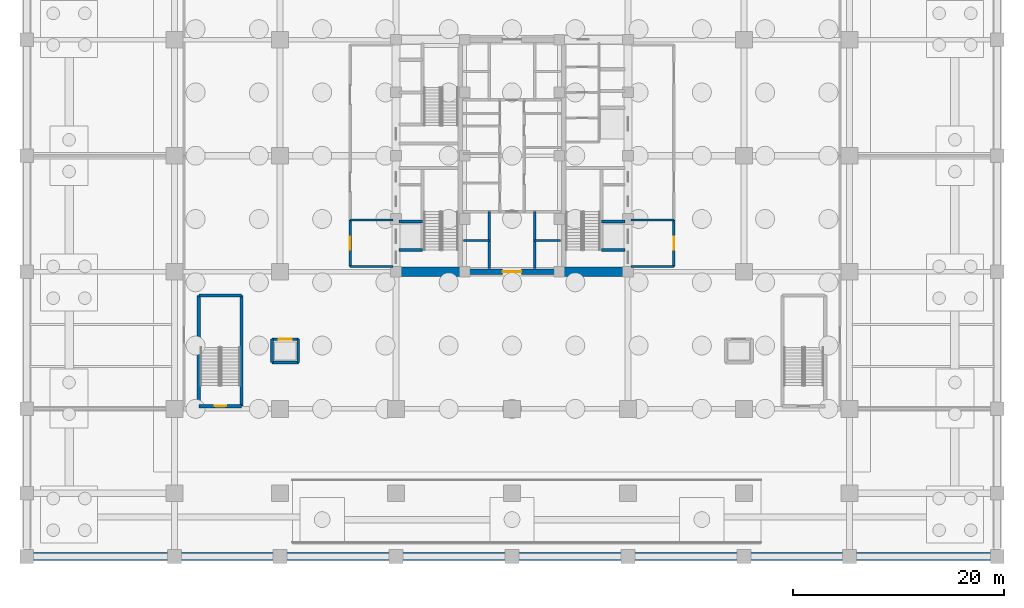
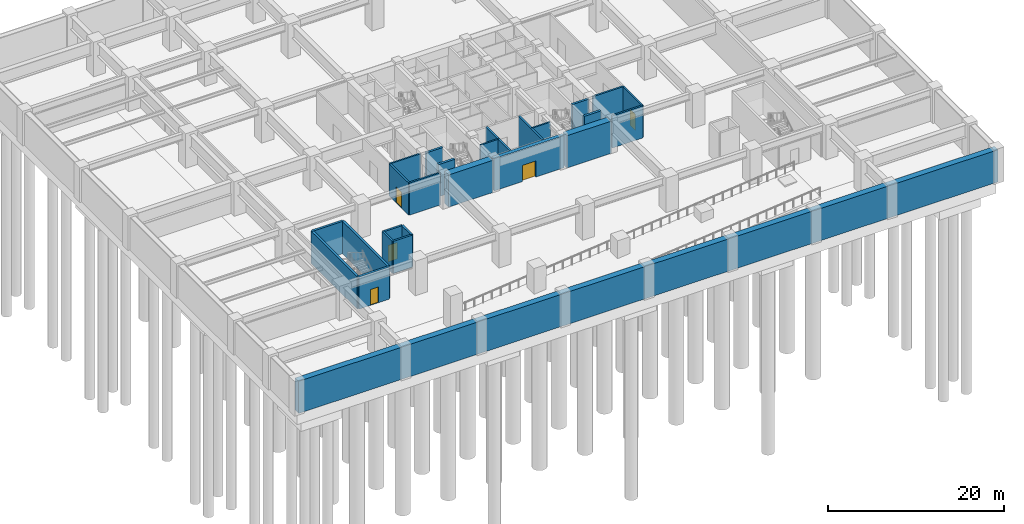
# One storey, part 4 of 13: 26 walls, 5 doors, 5 openings.
"""IFC4 building model written with IfcOpenShell, lengths in metres."""

from ifc_helpers import new_model, si_unit, direction, frame, frame_2d, origin, place, context, subcontext, project, spatial, rectangle, extrude, source, transform, mapped, material, layer, layer_set, type_object, element, fill, save


model = new_model("IFC4")

# Units and contexts
model_context = context("Model", 3, precision=1e-05, world=origin(), true_north=direction((0.0, 1.0)))
body_context = subcontext(model_context, "Body", "Model", "MODEL_VIEW")
ifc_project = project(units=[si_unit("LENGTHUNIT", "METRE"), si_unit("AREAUNIT", "SQUARE_METRE"), si_unit("VOLUMEUNIT", "CUBIC_METRE"), si_unit("PLANEANGLEUNIT", "RADIAN"), si_unit("MASSUNIT", "GRAM", prefix="KILO")], contexts=[model_context])

# Site, building, storey
site_placement = place(None, origin())
site = spatial("IfcSite", under=ifc_project, at=site_placement, CompositionType="ELEMENT")
building_placement = place(site_placement, origin())
building = spatial("IfcBuilding", under=site, at=building_placement, Name="Khorayat Bourse Tower", CompositionType="ELEMENT")
storey_placement = place(building_placement, frame((0.0, 0.0, -9.60009765625)))
storey = spatial("IfcBuildingStorey", under=building, at=storey_placement, Name="B02", CompositionType="ELEMENT", Elevation=-9.60009765625)

# Walls
ifc_material_1 = material(Name="Concrete C50/60", Category="concrete")
ifc_layer_1 = layer(ifc_material_1, 0.800048828125)
ifc_layer_set_1 = layer_set([ifc_layer_1], Name="Concrete C50/60")
wall_type_1 = type_object("IfcWallType", Name="WAL-RET-800", PredefinedType="USERDEFINED", material=ifc_layer_set_1)
shared_shape_1 = source(origin(), body_context, "Body", "SweptSolid", [
    extrude(rectangle(XDim=92.0, YDim=0.800048828125, at=frame_2d((46.0, 0.0))), origin(), (0.0, 0.0, 1.0), 4.47998046875),
])
wall_1_placement = place(storey_placement, frame((-46.0, -38.0, 0.0), z_axis=(0.0, 0.0, 1.0), x_axis=(1.0, 0.0, 0.0)))
element("IfcWall", 1, at=wall_1_placement, inside=storey, type_object=wall_type_1, Name="B02 Perimeter Retaining Wall S", ObjectType="RETAINING WALL", PredefinedType="USERDEFINED", context=body_context, shape_type="MappedRepresentation", body=[
    mapped(shared_shape_1, transform((0.0, 0.0, 0.0), scale=1.0)),
])
ifc_material_2 = material(Name="Concrete C72/90", Category="concrete")
ifc_layer_2 = layer(ifc_material_2, 0.89990234375)
ifc_layer_set_2 = layer_set([ifc_layer_2], Name="Concrete C72/90")
wall_type_2 = type_object("IfcWallType", Name="WAL-CORE-900", PredefinedType="SHEAR", material=ifc_layer_set_2)
shared_shape_2 = source(origin(), body_context, "Body", "SweptSolid", [
    extrude(rectangle(XDim=5.849853515625, YDim=0.89990234375, at=frame_2d((2.9248046875, 0.0))), origin(), (0.0, 0.0, 1.0), 4.47998046875),
])
for number, where, z_axis, x_axis, name in (
    (2, (-10.699951171875, -11.0, 0.0), (0.0, 0.0, 1.0), (1.0, 0.0, 0.0), "B02 Core Shear Wall PIER-WS"),
    (3, (4.85009765625, -11.0, 0.0), (0.0, 0.0, 1.0), (1.0, 0.0, 0.0), "B02 Core Shear Wall PIER-ES"),
):
    element("IfcWall", number, at=place(storey_placement, frame(where, z_axis=z_axis, x_axis=x_axis)), inside=storey, type_object=wall_type_2, Name=name, PredefinedType="SHEAR", context=body_context, shape_type="MappedRepresentation", body=[
        mapped(shared_shape_2, transform((0.0, 0.0, 0.0), scale=1.0)),
    ])

# Wall, opening, door
ifc_material_3 = material(Name="Concrete C52/65", Category="concrete")
ifc_layer_3 = layer(ifc_material_3, 0.5)
ifc_layer_set_3 = layer_set([ifc_layer_3], Name="Concrete C52/65")
wall_type_3 = type_object("IfcWallType", Name="WAL-CORE-500", PredefinedType="SHEAR", material=ifc_layer_set_3)
shared_shape_3 = source(origin(), body_context, "Body", "SweptSolid", [
    extrude(rectangle(XDim=9.2001953125, YDim=0.5, at=frame_2d((4.60009765625, 0.0))), origin(), (0.0, 0.0, 1.0), 4.47998046875),
])
wall_2_placement = place(storey_placement, frame((-4.60009765625, -11.0, 0.0), z_axis=(0.0, 0.0, 1.0), x_axis=(1.0, 0.0, 0.0)))
wall_2 = element("IfcWall", 4, at=wall_2_placement, inside=storey, type_object=wall_type_3, Name="B02 Core Shear Wall CORE-S", PredefinedType="SHEAR", context=body_context, shape_type="MappedRepresentation", body=[
    mapped(shared_shape_3, transform((0.0, 0.0, 0.0), scale=1.0)),
])
shared_shape_4 = source(origin(), body_context, "Body", "SweptSolid", [
    extrude(rectangle(XDim=1.800048828125, YDim=2.25, at=frame_2d((0.89990234375, 1.125))), frame((0.0, 0.260009765625, 0.0), z_axis=(0.0, -1.0, 0.0), x_axis=(1.0, 0.0, 0.0)), (0.0, 0.0, 1.0), 0.52001953125),
])
opening_1_placement = place(wall_2_placement, frame((3.699951171875, 0.0, 0.0)))
opening_1 = element("IfcOpeningElement", 5, at=opening_1_placement, cuts=wall_2, Name="Opening DI-03", PredefinedType="OPENING", context=body_context, shape_type="MappedRepresentation", body=[
    mapped(shared_shape_4, transform((0.0, 0.0, 0.0), scale=1.0)),
])
ifc_material_4 = material(Name="Fire-rated hardwood vision-panel double leaf", Category="wood")
door_type_1 = type_object("IfcDoorType", Name="DR-INT-CORR-1800", OperationType="NOTDEFINED", PredefinedType="DOOR", material=ifc_material_4)
shared_shape_5 = source(origin(), body_context, "Body", "SweptSolid", [
    extrude(rectangle(XDim=1.800048828125, YDim=2.25, at=frame_2d((0.89990234375, 1.125))), frame((0.0, 0.02490234375, 0.0), z_axis=(0.0, -1.0, 0.0), x_axis=(1.0, 0.0, 0.0)), (0.0, 0.0, 1.0), 0.050048828125),
])
door_1_placement = place(opening_1_placement, origin())
door_1 = element("IfcDoor", 6, at=door_1_placement, inside=storey, type_object=door_type_1, Name="B02 Low-Rise Lift Lobby Door", OperationType="SINGLE_SWING_LEFT", OverallHeight=2.25, OverallWidth=1.800048828125, PredefinedType="DOOR", context=body_context, shape_type="MappedRepresentation", body=[
    mapped(shared_shape_5, transform((0.0, 0.0, 0.0), scale=1.0)),
])
fill(opening_1, door_1)

# Walls
ifc_layer_4 = layer(ifc_material_1, 0.300048828125)
ifc_layer_set_4 = layer_set([ifc_layer_4], Name="Concrete C50/60")
wall_type_4 = type_object("IfcWallType", Name="WAL-SHAFT-300", PredefinedType="SHEAR", material=ifc_layer_set_4)
shared_shape_6 = source(origin(), body_context, "Body", "SweptSolid", [
    extrude(rectangle(XDim=2.199951171875, YDim=0.300048828125, at=frame_2d((1.10009765625, 0.0))), origin(), (0.0, 0.0, 1.0), 4.47998046875),
])
for number, where, z_axis, x_axis, name in (
    (7, (-10.699951171875, -8.949951171875, 0.0), (0.0, 0.0, 1.0), (1.0, 0.0, 0.0), "B02 Partition WAL-B02-WPIER-FF1S"),
    (8, (-10.699951171875, -6.25, 0.0), (0.0, 0.0, 1.0), (1.0, 0.0, 0.0), "B02 Partition WAL-B02-WPIER-FF1N"),
    (9, (8.5, -8.949951171875, 0.0), (0.0, 0.0, 1.0), (1.0, 0.0, 0.0), "B02 Partition WAL-B02-EPIER-FF2S"),
    (10, (8.5, -6.25, 0.0), (0.0, 0.0, 1.0), (1.0, 0.0, 0.0), "B02 Partition WAL-B02-EPIER-FF2N"),
):
    element("IfcWall", number, at=place(storey_placement, frame(where, z_axis=z_axis, x_axis=x_axis)), inside=storey, type_object=wall_type_4, Name=name, PredefinedType="SHEAR", context=body_context, shape_type="MappedRepresentation", body=[
        mapped(shared_shape_6, transform((0.0, 0.0, 0.0), scale=1.0)),
    ])
ifc_material_5 = material(Name="Aerated concrete blockwork", Category="masonry")
ifc_layer_5 = layer(ifc_material_5, 0.219970703125)
ifc_layer_set_5 = layer_set([ifc_layer_5], Name="Aerated concrete blockwork")
wall_type_5 = type_object("IfcWallType", Name="WAL-PART-FF-220", PredefinedType="PARTITIONING", material=ifc_layer_set_5)
shared_shape_7 = source(origin(), body_context, "Body", "SweptSolid", [
    extrude(rectangle(XDim=4.050048828125, YDim=0.219970703125, at=frame_2d((2.02490234375, 0.0))), origin(), (0.0, 0.0, 1.0), 4.47998046875),
])
for number, where, z_axis, x_axis, name in (
    (11, (-15.35009765625, -10.5, 0.0), (0.0, 0.0, 1.0), (1.0, 0.0, 0.0), "B02 Partition WAL-B02-FFLW-S"),
    (12, (-15.35009765625, -6.10009765625, 0.0), (0.0, 0.0, 1.0), (1.0, 0.0, 0.0), "B02 Partition WAL-B02-FFLW-N"),
    (13, (11.300048828125, -10.5, 0.0), (0.0, 0.0, 1.0), (1.0, 0.0, 0.0), "B02 Partition WAL-B02-FFLE-S"),
    (14, (11.300048828125, -6.10009765625, 0.0), (0.0, 0.0, 1.0), (1.0, 0.0, 0.0), "B02 Partition WAL-B02-FFLE-N"),
):
    element("IfcWall", number, at=place(storey_placement, frame(where, z_axis=z_axis, x_axis=x_axis)), inside=storey, type_object=wall_type_5, Name=name, PredefinedType="PARTITIONING", context=body_context, shape_type="MappedRepresentation", body=[
        mapped(shared_shape_7, transform((0.0, 0.0, 0.0), scale=1.0)),
    ])

# Wall, opening, door
shared_shape_8 = source(origin(), body_context, "Body", "SweptSolid", [
    extrude(rectangle(XDim=4.39990234375, YDim=0.219970703125, at=frame_2d((2.199951171875, 0.0))), origin(), (0.0, 0.0, 1.0), 4.47998046875),
])
wall_3_placement = place(storey_placement, frame((-15.35009765625, -10.5, 0.0), z_axis=(0.0, 0.0, 1.0), x_axis=(0.0, 1.0, 0.0)))
wall_3 = element("IfcWall", 15, at=wall_3_placement, inside=storey, type_object=wall_type_5, Name="B02 Partition WAL-B02-FFLW-W", PredefinedType="PARTITIONING", context=body_context, shape_type="MappedRepresentation", body=[
    mapped(shared_shape_8, transform((0.0, 0.0, 0.0), scale=1.0)),
])
shared_shape_9 = source(origin(), body_context, "Body", "SweptSolid", [
    extrude(rectangle(XDim=1.199951171875, YDim=2.199951171875, at=frame_2d((0.60009765625, 1.10009765625))), frame((0.0, 0.119873046875, 0.0), z_axis=(0.0, -1.0, 0.0), x_axis=(1.0, 0.0, 0.0)), (0.0, 0.0, 1.0), 0.239990234375),
])
opening_2_placement = place(wall_3_placement, frame((1.60009765625, 0.0, 0.0)))
opening_2 = element("IfcOpeningElement", 16, at=opening_2_placement, cuts=wall_3, Name="Opening DI-02", PredefinedType="OPENING", context=body_context, shape_type="MappedRepresentation", body=[
    mapped(shared_shape_9, transform((0.0, 0.0, 0.0), scale=1.0)),
])
ifc_material_6 = material(Name="Fire-rated steel double-seal leaf", Category="steel")
door_type_2 = type_object("IfcDoorType", Name="DR-INT-FFLOBBY-1200", OperationType="NOTDEFINED", PredefinedType="DOOR", material=ifc_material_6)
shared_shape_10 = source(origin(), body_context, "Body", "SweptSolid", [
    extrude(rectangle(XDim=1.199951171875, YDim=2.199951171875, at=frame_2d((0.60009765625, 1.10009765625))), frame((0.0, 0.02490234375, 0.0), z_axis=(0.0, -1.0, 0.0), x_axis=(1.0, 0.0, 0.0)), (0.0, 0.0, 1.0), 0.050048828125),
])
door_2_placement = place(opening_2_placement, origin())
door_2 = element("IfcDoor", 17, at=door_2_placement, inside=storey, type_object=door_type_2, Name="B02 West Firefighting Lobby Door", OperationType="SINGLE_SWING_LEFT", OverallHeight=2.199951171875, OverallWidth=1.199951171875, PredefinedType="DOOR", context=body_context, shape_type="MappedRepresentation", body=[
    mapped(shared_shape_10, transform((0.0, 0.0, 0.0), scale=1.0)),
])
fill(opening_2, door_2)

wall_4_placement = place(storey_placement, frame((15.35009765625, -10.5, 0.0), z_axis=(0.0, 0.0, 1.0), x_axis=(0.0, 1.0, 0.0)))
wall_4 = element("IfcWall", 18, at=wall_4_placement, inside=storey, type_object=wall_type_5, Name="B02 Partition WAL-B02-FFLE-E", PredefinedType="PARTITIONING", context=body_context, shape_type="MappedRepresentation", body=[
    mapped(shared_shape_8, transform((0.0, 0.0, 0.0), scale=1.0)),
])
opening_3_placement = place(wall_4_placement, frame((1.60009765625, 0.0, 0.0)))
opening_3 = element("IfcOpeningElement", 19, at=opening_3_placement, cuts=wall_4, Name="Opening DI-02", PredefinedType="OPENING", context=body_context, shape_type="MappedRepresentation", body=[
    mapped(shared_shape_9, transform((0.0, 0.0, 0.0), scale=1.0)),
])
door_3_placement = place(opening_3_placement, origin())
door_3 = element("IfcDoor", 20, at=door_3_placement, inside=storey, type_object=door_type_2, Name="B02 East Firefighting Lobby Door", OperationType="SINGLE_SWING_RIGHT", OverallHeight=2.199951171875, OverallWidth=1.199951171875, PredefinedType="DOOR", context=body_context, shape_type="MappedRepresentation", body=[
    mapped(shared_shape_10, transform((0.0, 0.0, 0.0), scale=1.0)),
])
fill(opening_3, door_3)

# Walls
shared_shape_11 = source(origin(), body_context, "Body", "SweptSolid", [
    extrude(rectangle(XDim=5.39990234375, YDim=0.25, at=frame_2d((2.699951171875, 0.0))), origin(), (0.0, 0.0, 1.0), 4.47998046875),
])
for number, where, z_axis, x_axis, name in (
    (21, (-2.14990234375, -10.699951171875, 0.0), (0.0, 0.0, 1.0), (0.0, 1.0, 0.0), "B02 Partition WAL-B02-B1-W"),
    (22, (2.14990234375, -10.699951171875, 0.0), (0.0, 0.0, 1.0), (0.0, 1.0, 0.0), "B02 Partition WAL-B02-B1-E"),
):
    element("IfcWall", number, at=place(storey_placement, frame(where, z_axis=z_axis, x_axis=x_axis)), inside=storey, type_object=wall_type_4, Name=name, PredefinedType="SHEAR", context=body_context, shape_type="MappedRepresentation", body=[
        mapped(shared_shape_11, transform((0.0, 0.0, 0.0), scale=1.0)),
    ])
shared_shape_12 = source(origin(), body_context, "Body", "SweptSolid", [
    extrude(rectangle(XDim=2.4501953125, YDim=0.199951171875, at=frame_2d((1.22509765625, 0.0))), origin(), (0.0, 0.0, 1.0), 4.47998046875),
])
for number, where, z_axis, x_axis, name in (
    (23, (-4.60009765625, -8.050048828125, 0.0), (0.0, 0.0, 1.0), (1.0, 0.0, 0.0), "B02 Partition WAL-B02-B1-MW"),
    (24, (2.14990234375, -8.050048828125, 0.0), (0.0, 0.0, 1.0), (1.0, 0.0, 0.0), "B02 Partition WAL-B02-B1-ME"),
):
    element("IfcWall", number, at=place(storey_placement, frame(where, z_axis=z_axis, x_axis=x_axis)), inside=storey, type_object=wall_type_4, Name=name, PredefinedType="SHEAR", context=body_context, shape_type="MappedRepresentation", body=[
        mapped(shared_shape_12, transform((0.0, 0.0, 0.0), scale=1.0)),
    ])

# Wall, opening, door
shared_shape_13 = source(origin(), body_context, "Body", "SweptSolid", [
    extrude(rectangle(XDim=4.050048828125, YDim=0.300048828125, at=frame_2d((2.02490234375, 0.0))), origin(), (0.0, 0.0, 1.0), 4.47998046875),
])
wall_5_placement = place(storey_placement, frame((-29.699951171875, -23.75, 0.0), z_axis=(0.0, 0.0, 1.0), x_axis=(1.0, 0.0, 0.0)))
wall_5 = element("IfcWall", 25, at=wall_5_placement, inside=storey, type_object=wall_type_4, Name="B02 Partition WAL-B02-STP1-S", PredefinedType="SHEAR", context=body_context, shape_type="MappedRepresentation", body=[
    mapped(shared_shape_13, transform((0.0, 0.0, 0.0), scale=1.0)),
])
shared_shape_14 = source(origin(), body_context, "Body", "SweptSolid", [
    extrude(rectangle(XDim=1.10009765625, YDim=2.199951171875, at=frame_2d((0.550048828125, 1.10009765625))), frame((0.0, 0.159912109375, 0.0), z_axis=(0.0, -1.0, 0.0), x_axis=(1.0, 0.0, 0.0)), (0.0, 0.0, 1.0), 0.320068359375),
])
opening_4_placement = place(wall_5_placement, frame((1.5, 0.0, 0.0)))
opening_4 = element("IfcOpeningElement", 26, at=opening_4_placement, cuts=wall_5, Name="Opening DI-01", PredefinedType="OPENING", context=body_context, shape_type="MappedRepresentation", body=[
    mapped(shared_shape_14, transform((0.0, 0.0, 0.0), scale=1.0)),
])
ifc_material_7 = material(Name="Fire-rated steel acoustic leaf", Category="steel")
door_type_3 = type_object("IfcDoorType", Name="DR-INT-STAIR-1100", OperationType="NOTDEFINED", PredefinedType="DOOR", material=ifc_material_7)
shared_shape_15 = source(origin(), body_context, "Body", "SweptSolid", [
    extrude(rectangle(XDim=1.10009765625, YDim=2.199951171875, at=frame_2d((0.550048828125, 1.10009765625))), frame((0.0, 0.02490234375, 0.0), z_axis=(0.0, -1.0, 0.0), x_axis=(1.0, 0.0, 0.0)), (0.0, 0.0, 1.0), 0.050048828125),
])
door_4_placement = place(opening_4_placement, origin())
door_4 = element("IfcDoor", 27, at=door_4_placement, inside=storey, type_object=door_type_3, Name="B02 Podium Stair P1 Door", OperationType="SINGLE_SWING_RIGHT", OverallHeight=2.199951171875, OverallWidth=1.10009765625, PredefinedType="DOOR", context=body_context, shape_type="MappedRepresentation", body=[
    mapped(shared_shape_15, transform((0.0, 0.0, 0.0), scale=1.0)),
])
fill(opening_4, door_4)

# Walls
wall_6_placement = place(storey_placement, frame((-29.699951171875, -13.25, 0.0), z_axis=(0.0, 0.0, 1.0), x_axis=(1.0, 0.0, 0.0)))
element("IfcWall", 28, at=wall_6_placement, inside=storey, type_object=wall_type_4, Name="B02 Partition WAL-B02-STP1-N", PredefinedType="SHEAR", context=body_context, shape_type="MappedRepresentation", body=[
    mapped(shared_shape_13, transform((0.0, 0.0, 0.0), scale=1.0)),
])
shared_shape_16 = source(origin(), body_context, "Body", "SweptSolid", [
    extrude(rectangle(XDim=10.5, YDim=0.300048828125, at=frame_2d((5.25, 0.0))), origin(), (0.0, 0.0, 1.0), 4.47998046875),
])
for number, where, z_axis, x_axis, name in (
    (29, (-29.699951171875, -23.75, 0.0), (0.0, 0.0, 1.0), (0.0, 1.0, 0.0), "B02 Partition WAL-B02-STP1-W"),
    (30, (-25.64990234375, -23.75, 0.0), (0.0, 0.0, 1.0), (0.0, 1.0, 0.0), "B02 Partition WAL-B02-STP1-E"),
):
    element("IfcWall", number, at=place(storey_placement, frame(where, z_axis=z_axis, x_axis=x_axis)), inside=storey, type_object=wall_type_4, Name=name, PredefinedType="SHEAR", context=body_context, shape_type="MappedRepresentation", body=[
        mapped(shared_shape_16, transform((0.0, 0.0, 0.0), scale=1.0)),
    ])
shared_shape_17 = source(origin(), body_context, "Body", "SweptSolid", [
    extrude(rectangle(XDim=2.5, YDim=0.25, at=frame_2d((1.25, 0.0))), origin(), (0.0, 0.0, 1.0), 4.47998046875),
])
wall_7_placement = place(storey_placement, frame((-22.75, -19.60009765625, 0.0), z_axis=(0.0, 0.0, 1.0), x_axis=(1.0, 0.0, 0.0)))
element("IfcWall", 31, at=wall_7_placement, inside=storey, type_object=wall_type_4, Name="B02 Partition WAL-B02-PLP1-S", PredefinedType="SHEAR", context=body_context, shape_type="MappedRepresentation", body=[
    mapped(shared_shape_17, transform((0.0, 0.0, 0.0), scale=1.0)),
])

# Wall, opening, door
wall_8_placement = place(storey_placement, frame((-22.75, -17.39990234375, 0.0), z_axis=(0.0, 0.0, 1.0), x_axis=(1.0, 0.0, 0.0)))
wall_8 = element("IfcWall", 32, at=wall_8_placement, inside=storey, type_object=wall_type_4, Name="B02 Partition WAL-B02-PLP1-N", PredefinedType="SHEAR", context=body_context, shape_type="MappedRepresentation", body=[
    mapped(shared_shape_17, transform((0.0, 0.0, 0.0), scale=1.0)),
])
shared_shape_18 = source(origin(), body_context, "Body", "SweptSolid", [
    extrude(rectangle(XDim=1.199951171875, YDim=2.300048828125, at=frame_2d((0.60009765625, 1.14990234375))), frame((0.0, 0.135009765625, 0.0), z_axis=(0.0, -1.0, 0.0), x_axis=(1.0, 0.0, 0.0)), (0.0, 0.0, 1.0), 0.27001953125),
])
opening_5_placement = place(wall_8_placement, frame((0.64990234375, 0.0, 0.0)))
opening_5 = element("IfcOpeningElement", 33, at=opening_5_placement, cuts=wall_8, Name="Opening LD-01", PredefinedType="OPENING", context=body_context, shape_type="MappedRepresentation", body=[
    mapped(shared_shape_18, transform((0.0, 0.0, 0.0), scale=1.0)),
])
ifc_material_8 = material(Name="Brushed bronze stainless-steel sliding door", Category="steel")
door_type_4 = type_object("IfcDoorType", Name="DR-LIFT-PASS-1200", OperationType="NOTDEFINED", PredefinedType="DOOR", material=ifc_material_8)
shared_shape_19 = source(origin(), body_context, "Body", "SweptSolid", [
    extrude(rectangle(XDim=1.199951171875, YDim=2.300048828125, at=frame_2d((0.60009765625, 1.14990234375))), frame((0.0, 0.02490234375, 0.0), z_axis=(0.0, -1.0, 0.0), x_axis=(1.0, 0.0, 0.0)), (0.0, 0.0, 1.0), 0.050048828125),
])
door_5_placement = place(opening_5_placement, origin())
door_5 = element("IfcDoor", 34, at=door_5_placement, inside=storey, type_object=door_type_4, Name="B02 Lift PL-P1 Sliding Landing Door", OperationType="SLIDING_TO_LEFT", OverallHeight=2.300048828125, OverallWidth=1.199951171875, PredefinedType="DOOR", context=body_context, shape_type="MappedRepresentation", body=[
    mapped(shared_shape_19, transform((0.0, 0.0, 0.0), scale=1.0)),
])
fill(opening_5, door_5)

# Walls
shared_shape_20 = source(origin(), body_context, "Body", "SweptSolid", [
    extrude(rectangle(XDim=2.2001953125, YDim=0.25, at=frame_2d((1.10009765625, 0.0))), origin(), (0.0, 0.0, 1.0), 4.47998046875),
])
for number, where, z_axis, x_axis, name in (
    (35, (-22.75, -19.60009765625, 0.0), (0.0, 0.0, 1.0), (0.0, 1.0, 0.0), "B02 Partition WAL-B02-PLP1-W"),
    (36, (-20.25, -19.60009765625, 0.0), (0.0, 0.0, 1.0), (0.0, 1.0, 0.0), "B02 Partition WAL-B02-PLP1-E"),
):
    element("IfcWall", number, at=place(storey_placement, frame(where, z_axis=z_axis, x_axis=x_axis)), inside=storey, type_object=wall_type_4, Name=name, PredefinedType="SHEAR", context=body_context, shape_type="MappedRepresentation", body=[
        mapped(shared_shape_20, transform((0.0, 0.0, 0.0), scale=1.0)),
    ])

save(model, "model.ifc")
